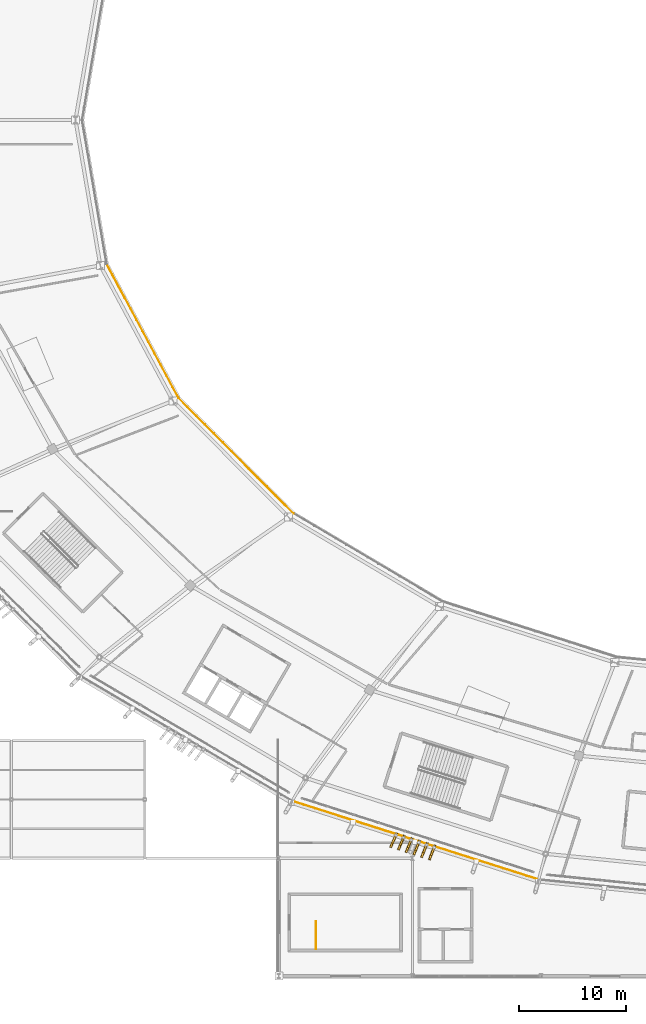
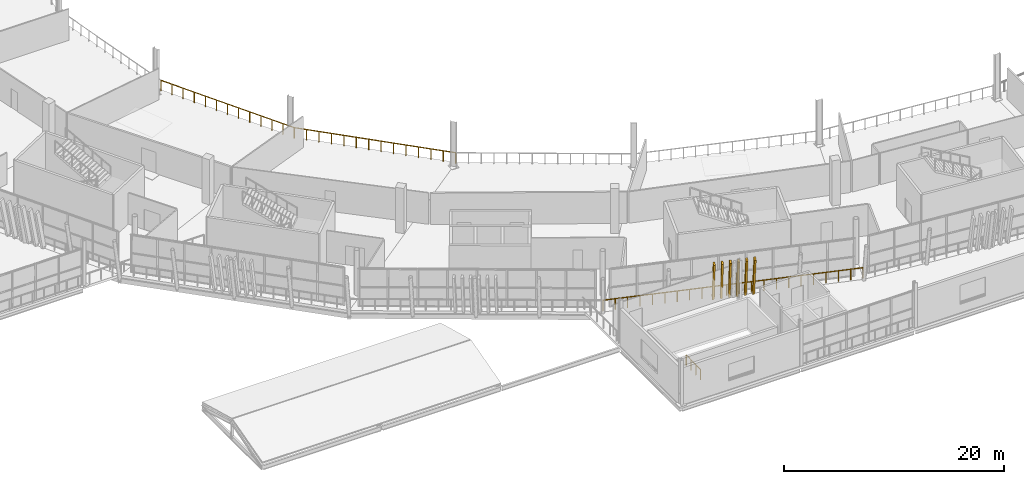
# One storey, part 148 of 179: 6 shading devices, 4 railings.
"""IFC4 building model written with IfcOpenShell, lengths in metres."""

from ifc_helpers import new_model, si_unit, direction, frame, origin, origin_2d, place, context, subcontext, project, spatial, rectangle, extrude, material, material_profile, profile_set, type_object, element, save


model = new_model("IFC4")

# Units and contexts
model_context = context("Model", 3, precision=1e-05, world=origin(), true_north=direction((0.0, 1.0)))
body_context = subcontext(model_context, "Body", "Model", "MODEL_VIEW")
ifc_project = project(units=[si_unit("LENGTHUNIT", "METRE"), si_unit("AREAUNIT", "SQUARE_METRE"), si_unit("VOLUMEUNIT", "CUBIC_METRE"), si_unit("PLANEANGLEUNIT", "RADIAN"), si_unit("MASSUNIT", "GRAM", prefix="KILO")], contexts=[model_context])

# Site, building, storey
site_placement = place(None, origin())
site = spatial("IfcSite", under=ifc_project, at=site_placement, CompositionType="ELEMENT")
building_placement = place(site_placement, origin())
building = spatial("IfcBuilding", under=site, at=building_placement, Name="Zlatoyarsky Gate Stadium", CompositionType="ELEMENT")
storey_placement = place(building_placement, frame((0.0, 0.0, 10.60009765625)))
storey = spatial("IfcBuildingStorey", under=building, at=storey_placement, Name="L02", CompositionType="ELEMENT", Elevation=10.60009765625)

# Railings
ifc_material_1 = material(Name="Powder-coated steel tubular guardrail", Category="steel")
railing_type_1 = type_object("IfcRailingType", Name="CONCOURSE SLAB EDGE GUARDRAIL 1200", PredefinedType="GUARDRAIL", material=ifc_material_1)
railing_1_placement = place(storey_placement, frame((45.916015625, 66.546630859375, 0.0)))
element("IfcRailing", 1, at=railing_1_placement, inside=storey, type_object=railing_type_1, Name="L02 inner bowl edge guardrail 13", PredefinedType="GUARDRAIL", context=body_context, shape_type="SweptSolid", body=[
    extrude(rectangle(XDim=0.048095703125, YDim=0.048095703125, at=origin_2d()), frame((0.0, 0.0, 1.17578125), z_axis=(0.473048708203, -0.881036276023, 0.0), x_axis=(0.881036276023, 0.473048708203, 0.0)), (0.0, 0.0, 1.0), 14.2294921875),
    extrude(rectangle(XDim=0.0419921875, YDim=0.0419921875, at=origin_2d()), origin(), (0.0, 0.0, 1.0), 1.15185546875),
    extrude(rectangle(XDim=0.0419921875, YDim=0.0419921875, at=origin_2d()), frame((0.56103515625, -1.044677734375, 0.0)), (0.0, 0.0, 1.0), 1.15185546875),
    extrude(rectangle(XDim=0.0419921875, YDim=0.0419921875, at=origin_2d()), frame((1.121826171875, -2.08935546875, 0.0)), (0.0, 0.0, 1.0), 1.15185546875),
    extrude(rectangle(XDim=0.0419921875, YDim=0.0419921875, at=origin_2d()), frame((1.682861328125, -3.13427734375, 0.0)), (0.0, 0.0, 1.0), 1.15185546875),
    extrude(rectangle(XDim=0.0419921875, YDim=0.0419921875, at=origin_2d()), frame((2.24365234375, -4.178955078125, 0.0)), (0.0, 0.0, 1.0), 1.15185546875),
    extrude(rectangle(XDim=0.0419921875, YDim=0.0419921875, at=origin_2d()), frame((2.8046875, -5.2236328125, 0.0)), (0.0, 0.0, 1.0), 1.15185546875),
    extrude(rectangle(XDim=0.0419921875, YDim=0.0419921875, at=origin_2d()), frame((3.36572265625, -6.268310546875, 0.0)), (0.0, 0.0, 1.0), 1.15185546875),
    extrude(rectangle(XDim=0.0419921875, YDim=0.0419921875, at=origin_2d()), frame((3.926513671875, -7.31298828125, 0.0)), (0.0, 0.0, 1.0), 1.15185546875),
    extrude(rectangle(XDim=0.0419921875, YDim=0.0419921875, at=origin_2d()), frame((4.487548828125, -8.357666015625, 0.0)), (0.0, 0.0, 1.0), 1.15185546875),
    extrude(rectangle(XDim=0.0419921875, YDim=0.0419921875, at=origin_2d()), frame((5.04833984375, -9.40234375, 0.0)), (0.0, 0.0, 1.0), 1.15185546875),
    extrude(rectangle(XDim=0.0419921875, YDim=0.0419921875, at=origin_2d()), frame((5.609375, -10.447265625, 0.0)), (0.0, 0.0, 1.0), 1.15185546875),
    extrude(rectangle(XDim=0.0419921875, YDim=0.0419921875, at=origin_2d()), frame((6.170166015625, -11.491943359375, 0.0)), (0.0, 0.0, 1.0), 1.15185546875),
    extrude(rectangle(XDim=0.0419921875, YDim=0.0419921875, at=origin_2d()), frame((6.731201171875, -12.53662109375, 0.0)), (0.0, 0.0, 1.0), 1.15185546875),
])
railing_2_placement = place(storey_placement, frame((52.647216796875, 54.010009765625, 0.0)))
element("IfcRailing", 2, at=railing_2_placement, inside=storey, type_object=railing_type_1, Name="L02 inner bowl edge guardrail 14", PredefinedType="GUARDRAIL", context=body_context, shape_type="SweptSolid", body=[
    extrude(rectangle(XDim=0.048095703125, YDim=0.048095703125, at=origin_2d()), frame((0.0, 0.0, 1.17578125), z_axis=(0.705206918956, -0.709001552506, 0.0), x_axis=(0.709001552506, 0.705206918956, 0.0)), (0.0, 0.0, 1.0), 15.183837890625),
    extrude(rectangle(XDim=0.0419921875, YDim=0.0419921875, at=origin_2d()), origin(), (0.0, 0.0, 1.0), 1.15185546875),
    extrude(rectangle(XDim=0.0419921875, YDim=0.0419921875, at=origin_2d()), frame((0.82373046875, -0.828125, 0.0)), (0.0, 0.0, 1.0), 1.15185546875),
    extrude(rectangle(XDim=0.0419921875, YDim=0.0419921875, at=origin_2d()), frame((1.6474609375, -1.65625, 0.0)), (0.0, 0.0, 1.0), 1.15185546875),
    extrude(rectangle(XDim=0.0419921875, YDim=0.0419921875, at=origin_2d()), frame((2.470947265625, -2.484375, 0.0)), (0.0, 0.0, 1.0), 1.15185546875),
    extrude(rectangle(XDim=0.0419921875, YDim=0.0419921875, at=origin_2d()), frame((3.294677734375, -3.3125, 0.0)), (0.0, 0.0, 1.0), 1.15185546875),
    extrude(rectangle(XDim=0.0419921875, YDim=0.0419921875, at=origin_2d()), frame((4.118408203125, -4.140625, 0.0)), (0.0, 0.0, 1.0), 1.15185546875),
    extrude(rectangle(XDim=0.0419921875, YDim=0.0419921875, at=origin_2d()), frame((4.942138671875, -4.96875, 0.0)), (0.0, 0.0, 1.0), 1.15185546875),
    extrude(rectangle(XDim=0.0419921875, YDim=0.0419921875, at=origin_2d()), frame((5.765625, -5.796630859375, 0.0)), (0.0, 0.0, 1.0), 1.15185546875),
    extrude(rectangle(XDim=0.0419921875, YDim=0.0419921875, at=origin_2d()), frame((6.58935546875, -6.624755859375, 0.0)), (0.0, 0.0, 1.0), 1.15185546875),
    extrude(rectangle(XDim=0.0419921875, YDim=0.0419921875, at=origin_2d()), frame((7.4130859375, -7.452880859375, 0.0)), (0.0, 0.0, 1.0), 1.15185546875),
    extrude(rectangle(XDim=0.0419921875, YDim=0.0419921875, at=origin_2d()), frame((8.23681640625, -8.281005859375, 0.0)), (0.0, 0.0, 1.0), 1.15185546875),
    extrude(rectangle(XDim=0.0419921875, YDim=0.0419921875, at=origin_2d()), frame((9.060302734375, -9.109130859375, 0.0)), (0.0, 0.0, 1.0), 1.15185546875),
    extrude(rectangle(XDim=0.0419921875, YDim=0.0419921875, at=origin_2d()), frame((9.884033203125, -9.937255859375, 0.0)), (0.0, 0.0, 1.0), 1.15185546875),
    extrude(rectangle(XDim=0.0419921875, YDim=0.0419921875, at=origin_2d()), frame((10.707763671875, -10.765380859375, 0.0)), (0.0, 0.0, 1.0), 1.15185546875),
])
railing_3_placement = place(storey_placement, frame((63.251953125, 16.3505859375, 0.0)))
element("IfcRailing", 3, at=railing_3_placement, inside=storey, type_object=railing_type_1, Name="L02 outer slab edge guardrail 16", PredefinedType="GUARDRAIL", context=body_context, shape_type="SweptSolid", body=[
    extrude(rectangle(XDim=0.048095703125, YDim=0.048095703125, at=origin_2d()), frame((0.0, 0.0, 1.17578125), z_axis=(0.952758246059, -0.303729689966, 0.0), x_axis=(0.303729689966, 0.952758246059, 0.0)), (0.0, 0.0, 1.0), 24.173828125),
    extrude(rectangle(XDim=0.0419921875, YDim=0.0419921875, at=origin_2d()), origin(), (0.0, 0.0, 1.0), 1.15185546875),
    extrude(rectangle(XDim=0.0419921875, YDim=0.0419921875, at=origin_2d()), frame((1.0966796875, -0.349609375, 0.0)), (0.0, 0.0, 1.0), 1.15185546875),
    extrude(rectangle(XDim=0.0419921875, YDim=0.0419921875, at=origin_2d()), frame((2.193603515625, -0.69921875, 0.0)), (0.0, 0.0, 1.0), 1.15185546875),
    extrude(rectangle(XDim=0.0419921875, YDim=0.0419921875, at=origin_2d()), frame((3.290283203125, -1.048828125, 0.0)), (0.0, 0.0, 1.0), 1.15185546875),
    extrude(rectangle(XDim=0.0419921875, YDim=0.0419921875, at=origin_2d()), frame((4.386962890625, -1.3984375, 0.0)), (0.0, 0.0, 1.0), 1.15185546875),
    extrude(rectangle(XDim=0.0419921875, YDim=0.0419921875, at=origin_2d()), frame((5.483642578125, -1.748046875, 0.0)), (0.0, 0.0, 1.0), 1.15185546875),
    extrude(rectangle(XDim=0.0419921875, YDim=0.0419921875, at=origin_2d()), frame((6.58056640625, -2.097900390625, 0.0)), (0.0, 0.0, 1.0), 1.15185546875),
    extrude(rectangle(XDim=0.0419921875, YDim=0.0419921875, at=origin_2d()), frame((7.67724609375, -2.447509765625, 0.0)), (0.0, 0.0, 1.0), 1.15185546875),
    extrude(rectangle(XDim=0.0419921875, YDim=0.0419921875, at=origin_2d()), frame((8.77392578125, -2.797119140625, 0.0)), (0.0, 0.0, 1.0), 1.15185546875),
    extrude(rectangle(XDim=0.0419921875, YDim=0.0419921875, at=origin_2d()), frame((9.870849609375, -3.146728515625, 0.0)), (0.0, 0.0, 1.0), 1.15185546875),
    extrude(rectangle(XDim=0.0419921875, YDim=0.0419921875, at=origin_2d()), frame((10.967529296875, -3.496337890625, 0.0)), (0.0, 0.0, 1.0), 1.15185546875),
    extrude(rectangle(XDim=0.0419921875, YDim=0.0419921875, at=origin_2d()), frame((12.064208984375, -3.845947265625, 0.0)), (0.0, 0.0, 1.0), 1.15185546875),
    extrude(rectangle(XDim=0.0419921875, YDim=0.0419921875, at=origin_2d()), frame((13.160888671875, -4.195556640625, 0.0)), (0.0, 0.0, 1.0), 1.15185546875),
    extrude(rectangle(XDim=0.0419921875, YDim=0.0419921875, at=origin_2d()), frame((14.2578125, -4.545166015625, 0.0)), (0.0, 0.0, 1.0), 1.15185546875),
    extrude(rectangle(XDim=0.0419921875, YDim=0.0419921875, at=origin_2d()), frame((15.3544921875, -4.894775390625, 0.0)), (0.0, 0.0, 1.0), 1.15185546875),
    extrude(rectangle(XDim=0.0419921875, YDim=0.0419921875, at=origin_2d()), frame((16.451171875, -5.244384765625, 0.0)), (0.0, 0.0, 1.0), 1.15185546875),
    extrude(rectangle(XDim=0.0419921875, YDim=0.0419921875, at=origin_2d()), frame((17.548095703125, -5.59423828125, 0.0)), (0.0, 0.0, 1.0), 1.15185546875),
    extrude(rectangle(XDim=0.0419921875, YDim=0.0419921875, at=origin_2d()), frame((18.644775390625, -5.94384765625, 0.0)), (0.0, 0.0, 1.0), 1.15185546875),
    extrude(rectangle(XDim=0.0419921875, YDim=0.0419921875, at=origin_2d()), frame((19.741455078125, -6.29345703125, 0.0)), (0.0, 0.0, 1.0), 1.15185546875),
    extrude(rectangle(XDim=0.0419921875, YDim=0.0419921875, at=origin_2d()), frame((20.838134765625, -6.64306640625, 0.0)), (0.0, 0.0, 1.0), 1.15185546875),
    extrude(rectangle(XDim=0.0419921875, YDim=0.0419921875, at=origin_2d()), frame((21.93505859375, -6.99267578125, 0.0)), (0.0, 0.0, 1.0), 1.15185546875),
    extrude(rectangle(XDim=0.0419921875, YDim=0.0419921875, at=origin_2d()), frame((23.03173828125, -7.34228515625, 0.0)), (0.0, 0.0, 1.0), 1.15185546875),
])
ifc_material_2 = material(Name="Powder-coated steel stair guardrail", Category="steel")
railing_type_2 = type_object("IfcRailingType", Name="PAINTED STEEL STAIR WELL GUARDRAIL 1150", PredefinedType="GUARDRAIL", material=ifc_material_2)
railing_4_placement = place(storey_placement, frame((65.5, 2.5, 0.0)))
element("IfcRailing", 4, at=railing_4_placement, inside=storey, type_object=railing_type_2, Name="ST-29 L02 top well guard 1", PredefinedType="GUARDRAIL", context=body_context, shape_type="SweptSolid", body=[
    extrude(rectangle(XDim=0.048095703125, YDim=0.048095703125, at=origin_2d()), frame((0.0, 0.0, 1.1259765625), z_axis=(0.0, 1.0, 0.0), x_axis=(-1.0, 0.0, 0.0)), (0.0, 0.0, 1.0), 2.60009765625),
    extrude(rectangle(XDim=0.0419921875, YDim=0.0419921875, at=origin_2d()), origin(), (0.0, 0.0, 1.0), 1.101806640625),
    extrude(rectangle(XDim=0.0419921875, YDim=0.0419921875, at=origin_2d()), frame((0.0, 0.86669921875, 0.0)), (0.0, 0.0, 1.0), 1.101806640625),
    extrude(rectangle(XDim=0.0419921875, YDim=0.0419921875, at=origin_2d()), frame((0.0, 1.7333984375, 0.0)), (0.0, 0.0, 1.0), 1.101806640625),
    extrude(rectangle(XDim=0.0419921875, YDim=0.0419921875, at=origin_2d()), frame((0.0, 2.60009765625, 0.0)), (0.0, 0.0, 1.0), 1.101806640625),
])

# Shading devices
ifc_material_3 = material(Name="Precast concrete C40/50 stone-toned architectural rib", Category="masonry")
ifc_material_profile = material_profile(ifc_material_3, rectangle(XDim=0.179931640625, YDim=0.47998046875, at=origin_2d()), Name="RIB 180X480")
ifc_profile_set = profile_set([ifc_material_profile], Name="Precast concrete C40/50 stone-toned architectural rib")
shading_device_type = type_object("IfcShadingDeviceType", Name="PRECAST RIBBED BOWL LOUVRE FIN 180X480", PredefinedType="JALOUSIE", material=ifc_profile_set)
shading_device_1_placement = place(storey_placement, frame((72.943603515625, 13.15771484375, -0.010009765625), z_axis=(-0.088906571919, -0.202896169509, 0.975155764926), x_axis=(0.915925937658, -0.401347326795, 0.0)))
element("IfcShadingDevice", 5, at=shading_device_1_placement, inside=storey, type_object=shading_device_type, Name="Leaning bowl louvre fin L02-16-1", PredefinedType="JALOUSIE", context=body_context, shape_type="SweptSolid", body=[
    extrude(rectangle(XDim=0.179931640625, YDim=0.47998046875, at=origin_2d()), origin(), (0.0, 0.0, 1.0), 4.59423828125),
])
for number, where, z_axis, x_axis, name in (
    (6, (73.658203125, 12.9296875, -0.010009765625), (-0.087259579866, -0.203587972269, 0.975160347465), (0.919132619919, -0.393948254217, 0.0), "Leaning bowl louvre fin L02-16-2"),
    (7, (74.372802734375, 12.701904296875, -0.010009765625), (-0.085612299124, -0.204279129629, 0.975161818078), (0.922279926191, -0.386522622553, 0.0), "Leaning bowl louvre fin L02-16-3"),
    (8, (75.08740234375, 12.47412109375, -0.010009765625), (-0.083964745462, -0.204969634965, 0.975160176721), (0.925367231354, -0.37907187595, 0.0), "Leaning bowl louvre fin L02-16-4"),
    (9, (75.8017578125, 12.24609375, -0.010009765625), (-0.082264152418, -0.205660381044, 0.975159687895), (0.928476690885, -0.371390676354, 0.0), "Leaning bowl louvre fin L02-16-5"),
):
    element("IfcShadingDevice", number, at=place(storey_placement, frame(where, z_axis=z_axis, x_axis=x_axis)), inside=storey, type_object=shading_device_type, Name=name, PredefinedType="JALOUSIE", context=body_context, shape_type="SweptSolid", body=[
        extrude(rectangle(XDim=0.179931640625, YDim=0.47998046875, at=origin_2d()), origin(), (0.0, 0.0, 1.0), 4.593994140625),
    ])
shading_device_2_placement = place(storey_placement, frame((76.516357421875, 12.018310546875, -0.010009765625), z_axis=(-0.080616086407, -0.206349547474, 0.975151737357), x_axis=(0.931440835092, -0.363892801142, 0.0)))
element("IfcShadingDevice", 10, at=shading_device_2_placement, inside=storey, type_object=shading_device_type, Name="Leaning bowl louvre fin L02-16-6", PredefinedType="JALOUSIE", context=body_context, shape_type="SweptSolid", body=[
    extrude(rectangle(XDim=0.179931640625, YDim=0.47998046875, at=origin_2d()), origin(), (0.0, 0.0, 1.0), 4.59423828125),
])

save(model, "model.ifc")
